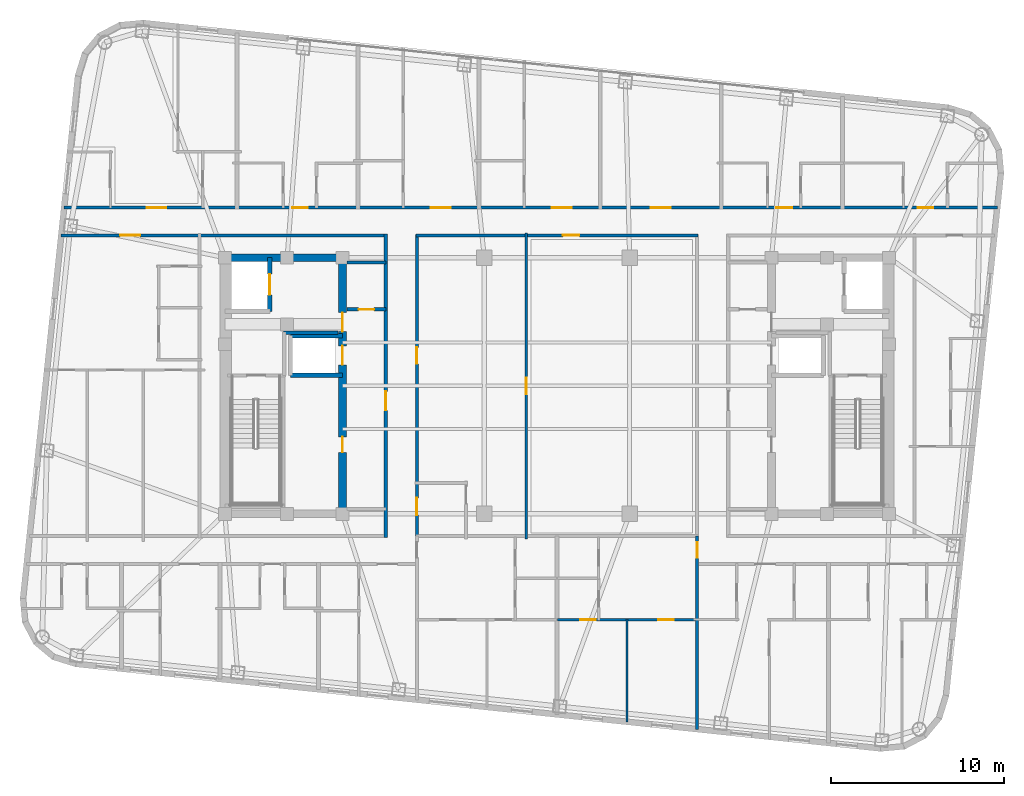
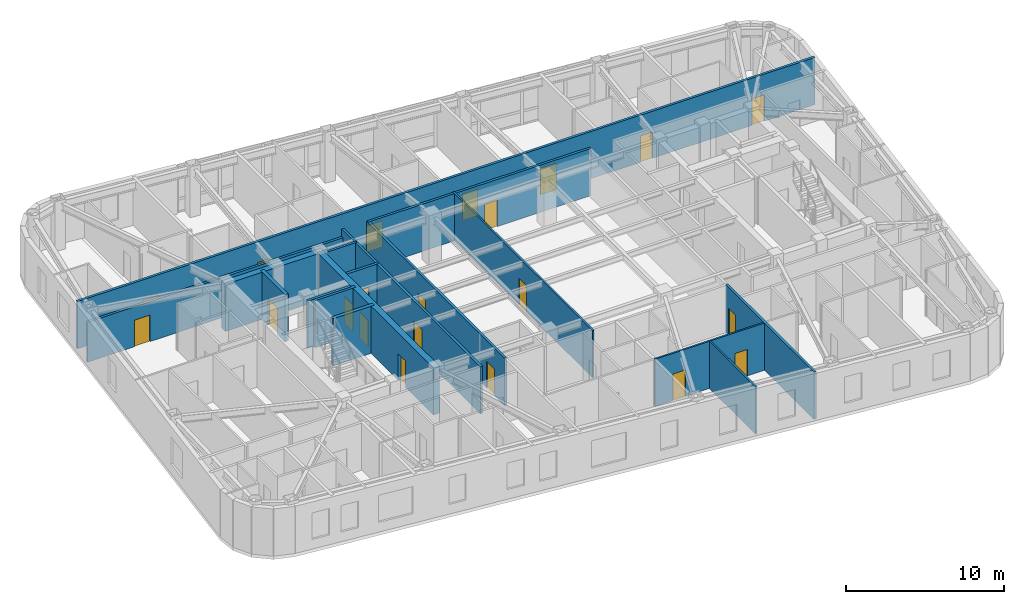
# One storey, part 10 of 16: 21 doors, 17 walls, 21 openings.
"""IFC4 building model written with IfcOpenShell, lengths in metres."""

from ifc_helpers import new_model, si_unit, direction, frame, frame_2d, origin, place, context, subcontext, project, spatial, rectangle, extrude, material, layer, layer_set, type_object, element, fill, save


model = new_model("IFC4")

# Units and contexts
model_context = context("Model", 3, precision=1e-05, world=origin(), true_north=direction((0.0, 1.0)))
body_context = subcontext(model_context, "Body", "Model", "MODEL_VIEW")
ifc_project = project(units=[si_unit("LENGTHUNIT", "METRE"), si_unit("AREAUNIT", "SQUARE_METRE"), si_unit("VOLUMEUNIT", "CUBIC_METRE"), si_unit("PLANEANGLEUNIT", "RADIAN"), si_unit("MASSUNIT", "GRAM", prefix="KILO")], contexts=[model_context])

# Site, building, storey
site_placement = place(None, origin())
site = spatial("IfcSite", under=ifc_project, at=site_placement, CompositionType="ELEMENT")
building_placement = place(site_placement, origin())
building = spatial("IfcBuilding", under=site, at=building_placement, Name="Voryun Gate Residences", CompositionType="ELEMENT")
storey_placement = place(building_placement, frame((0.0, 0.0, 267.800048828125)))
storey = spatial("IfcBuildingStorey", under=building, at=storey_placement, Name="L66", CompositionType="ELEMENT", Elevation=267.800048828125)

# Wall
ifc_material_1 = material(Name="Concrete C50/60", Category="concrete")
ifc_layer_1 = layer(ifc_material_1, 0.449951171875, Name="CW_CORE_450")
ifc_layer_set_1 = layer_set([ifc_layer_1], Name="Concrete C50/60")
wall_type_1 = type_object("IfcWallType", Name="CW_CORE_450", PredefinedType="SHEAR", material=ifc_layer_set_1)
wall_1_placement = place(storey_placement, frame((-19.425048828125, 7.39990234375, 0.0), z_axis=(0.0, 0.0, 1.0), x_axis=(1.0, 0.0, 0.0)))
element("IfcWall", 1, at=wall_1_placement, inside=storey, type_object=wall_type_1, Name="L66 Core shear wall CW-L66-WN", PredefinedType="SHEAR", context=body_context, shape_type="SweptSolid", body=[
    extrude(rectangle(XDim=7.25, YDim=0.449951171875, at=frame_2d((3.625, 0.0))), origin(), (0.0, 0.0, 1.0), 3.64990234375),
])

# Wall, openings, doors
wall_2_placement = place(storey_placement, frame((-12.39990234375, -7.39990234375, 0.0), z_axis=(0.0, 0.0, 1.0), x_axis=(0.0, 1.0, 0.0)))
wall_2 = element("IfcWall", 2, at=wall_2_placement, inside=storey, type_object=wall_type_1, Name="L66 Core shear wall CW-L66-WE", PredefinedType="SHEAR", context=body_context, shape_type="SweptSolid", body=[
    extrude(rectangle(XDim=14.7998046875, YDim=0.449951171875, at=frame_2d((7.39990234375, 0.0))), origin(), (0.0, 0.0, 1.0), 3.64990234375),
])
opening_1_placement = place(wall_2_placement, frame((8.60009765625, 0.0, 0.0)))
opening_1 = element("IfcOpeningElement", 3, at=opening_1_placement, cuts=wall_2, Name="Opening LD2", PredefinedType="OPENING", context=body_context, shape_type="SweptSolid", body=[
    extrude(rectangle(XDim=1.10009765625, YDim=2.050048828125, at=frame_2d((0.550048828125, 1.02490234375))), frame((0.0, 0.235107421875, 0.0), z_axis=(0.0, -1.0, 0.0), x_axis=(1.0, 0.0, 0.0)), (0.0, 0.0, 1.0), 0.469970703125),
])
opening_2_placement = place(wall_2_placement, frame((10.530029296875, 0.0, 0.0)))
opening_2 = element("IfcOpeningElement", 4, at=opening_2_placement, cuts=wall_2, Name="Opening D-FD60-2", PredefinedType="OPENING", context=body_context, shape_type="SweptSolid", body=[
    extrude(rectangle(XDim=1.10009765625, YDim=2.050048828125, at=frame_2d((0.550048828125, 1.02490234375))), frame((0.0, 0.235107421875, 0.0), z_axis=(0.0, -1.0, 0.0), x_axis=(1.0, 0.0, 0.0)), (0.0, 0.0, 1.0), 0.469970703125),
])
opening_3_placement = place(wall_2_placement, frame((3.550048828125, 0.0, 0.0)))
opening_3 = element("IfcOpeningElement", 5, at=opening_3_placement, cuts=wall_2, Name="Opening D-FD60-4", PredefinedType="OPENING", context=body_context, shape_type="SweptSolid", body=[
    extrude(rectangle(XDim=0.89990234375, YDim=2.050048828125, at=frame_2d((0.449951171875, 1.02490234375))), frame((0.0, 0.235107421875, 0.0), z_axis=(0.0, -1.0, 0.0), x_axis=(1.0, 0.0, 0.0)), (0.0, 0.0, 1.0), 0.469970703125),
])
ifc_material_2 = material(Name="Painted steel fire door", Category="steel")
door_type_1 = type_object("IfcDoorType", Name="DR_FD60_FFLOB_1100", OperationType="NOTDEFINED", PredefinedType="DOOR", material=ifc_material_2)
door_1_placement = place(opening_2_placement, origin())
door_1 = element("IfcDoor", 6, at=door_1_placement, inside=storey, type_object=door_type_1, Name="Door DR-L66-CLOB-W", OperationType="SINGLE_SWING_LEFT", OverallHeight=2.050048828125, OverallWidth=1.10009765625, PredefinedType="DOOR", context=body_context, shape_type="SweptSolid", body=[
    extrude(rectangle(XDim=1.10009765625, YDim=2.050048828125, at=frame_2d((0.550048828125, 1.02490234375))), frame((0.0, 0.02490234375, 0.0), z_axis=(0.0, -1.0, 0.0), x_axis=(1.0, 0.0, 0.0)), (0.0, 0.0, 1.0), 0.050048828125),
])
fill(opening_2, door_1)
ifc_material_3 = material(Name="Painted steel fire door", Category="steel")
door_type_2 = type_object("IfcDoorType", Name="DR_FD60_RISER_900", OperationType="NOTDEFINED", PredefinedType="DOOR", material=ifc_material_3)
door_2_placement = place(opening_3_placement, origin())
door_2 = element("IfcDoor", 7, at=door_2_placement, inside=storey, type_object=door_type_2, Name="Door DR-L66-RECW-HI", OperationType="SINGLE_SWING_LEFT", OverallHeight=2.050048828125, OverallWidth=0.89990234375, PredefinedType="DOOR", context=body_context, shape_type="SweptSolid", body=[
    extrude(rectangle(XDim=0.89990234375, YDim=2.050048828125, at=frame_2d((0.449951171875, 1.02490234375))), frame((0.0, 0.02490234375, 0.0), z_axis=(0.0, -1.0, 0.0), x_axis=(1.0, 0.0, 0.0)), (0.0, 0.0, 1.0), 0.050048828125),
])
fill(opening_3, door_2)
ifc_material_4 = material(Name="Anodised aluminium", Category="aluminium")
door_type_3 = type_object("IfcDoorType", Name="DR_LD_PASS_1100", OperationType="NOTDEFINED", PredefinedType="DOOR", material=ifc_material_4)
door_3_placement = place(opening_1_placement, origin())
door_3 = element("IfcDoor", 8, at=door_3_placement, inside=storey, type_object=door_type_3, Name="Lift EL-P7 sliding landing door L66", OperationType="SLIDING_TO_LEFT", OverallHeight=2.050048828125, OverallWidth=1.10009765625, PredefinedType="DOOR", context=body_context, shape_type="SweptSolid", body=[
    extrude(rectangle(XDim=1.10009765625, YDim=2.050048828125, at=frame_2d((0.550048828125, 1.02490234375))), frame((0.0, 0.02490234375, 0.0), z_axis=(0.0, -1.0, 0.0), x_axis=(1.0, 0.0, 0.0)), (0.0, 0.0, 1.0), 0.050048828125),
])
fill(opening_1, door_3)

# Wall
ifc_material_5 = material(Name="Gypsum acoustic fireboard")
ifc_layer_2 = layer(ifc_material_5, 0.179931640625, Name="W_CORR_RATED_180")
ifc_layer_set_2 = layer_set([ifc_layer_2], Name="Gypsum acoustic fireboard")
wall_type_2 = type_object("IfcWallType", Name="W_CORR_RATED_180", PredefinedType="PARTITIONING", material=ifc_layer_set_2)
wall_3_placement = place(storey_placement, frame((-12.14990234375, 7.1201171875, 0.0), z_axis=(0.0, 0.0, 1.0), x_axis=(1.0, 0.0, 0.0)))
element("IfcWall", 9, at=wall_3_placement, inside=storey, type_object=wall_type_2, Name="Partition wall WP-L66-PLBN-W", PredefinedType="PARTITIONING", context=body_context, shape_type="SweptSolid", body=[
    extrude(rectangle(XDim=2.27001953125, YDim=0.179931640625, at=frame_2d((1.135009765625, 0.0))), origin(), (0.0, 0.0, 1.0), 3.64990234375),
])

# Wall, opening, door
wall_4_placement = place(storey_placement, frame((-9.89990234375, -8.780029296875, 0.0), z_axis=(0.0, 0.0, 1.0), x_axis=(0.0, 1.0, 0.0)))
wall_4 = element("IfcWall", 10, at=wall_4_placement, inside=storey, type_object=wall_type_2, Name="Partition wall WP-L66-PLBW-FULL", PredefinedType="PARTITIONING", context=body_context, shape_type="SweptSolid", body=[
    extrude(rectangle(XDim=17.56005859375, YDim=0.179931640625, at=frame_2d((8.780029296875, 0.0))), origin(), (0.0, 0.0, 1.0), 3.64990234375),
])
opening_4_placement = place(wall_4_placement, frame((7.35205078125, 0.0, 0.0)))
opening_4 = element("IfcOpeningElement", 11, at=opening_4_placement, cuts=wall_4, Name="Opening D-FD60-2", PredefinedType="OPENING", context=body_context, shape_type="SweptSolid", body=[
    extrude(rectangle(XDim=1.10009765625, YDim=2.050048828125, at=frame_2d((0.550048828125, 1.02490234375))), frame((0.0, 0.099853515625, 0.0), z_axis=(0.0, -1.0, 0.0), x_axis=(1.0, 0.0, 0.0)), (0.0, 0.0, 1.0), 0.199951171875),
])
door_4_placement = place(opening_4_placement, origin())
door_4 = element("IfcDoor", 12, at=door_4_placement, inside=storey, type_object=door_type_1, Name="Door DR-L66-PLBW-COR", OperationType="SINGLE_SWING_LEFT", OverallHeight=2.050048828125, OverallWidth=1.10009765625, PredefinedType="DOOR", context=body_context, shape_type="SweptSolid", body=[
    extrude(rectangle(XDim=1.10009765625, YDim=2.050048828125, at=frame_2d((0.550048828125, 1.02490234375))), frame((0.0, 0.02490234375, 0.0), z_axis=(0.0, -1.0, 0.0), x_axis=(1.0, 0.0, 0.0)), (0.0, 0.0, 1.0), 0.050048828125),
])
fill(opening_4, door_4)

wall_5_placement = place(storey_placement, frame((-28.664306640625, 8.68994140625, 0.0), z_axis=(0.0, 0.0, 1.0), x_axis=(1.0, 0.0, 0.0)))
wall_5 = element("IfcWall", 13, at=wall_5_placement, inside=storey, type_object=wall_type_2, Name="Partition wall WP-L66-CWING-WN", PredefinedType="PARTITIONING", context=body_context, shape_type="SweptSolid", body=[
    extrude(rectangle(XDim=18.784423828125, YDim=0.179931640625, at=frame_2d((9.39208984375, 0.0))), origin(), (0.0, 0.0, 1.0), 3.08984375),
])
opening_5_placement = place(wall_5_placement, frame((3.416748046875, 0.0, 0.0)))
opening_5 = element("IfcOpeningElement", 14, at=opening_5_placement, cuts=wall_5, Name="Opening D-UNIT-1", PredefinedType="OPENING", context=body_context, shape_type="SweptSolid", body=[
    extrude(rectangle(XDim=1.14990234375, YDim=2.050048828125, at=frame_2d((0.574951171875, 1.02490234375))), frame((0.0, 0.099853515625, 0.0), z_axis=(0.0, -1.0, 0.0), x_axis=(1.0, 0.0, 0.0)), (0.0, 0.0, 1.0), 0.199951171875),
])
ifc_material_6 = material(Name="Armoured timber-clad fire door", Category="wood")
door_type_4 = type_object("IfcDoorType", Name="DR_UNIT_ENTRY_1150", OperationType="NOTDEFINED", PredefinedType="DOOR", material=ifc_material_6)
door_5_placement = place(opening_5_placement, origin())
door_5 = element("IfcDoor", 15, at=door_5_placement, inside=storey, type_object=door_type_4, Name="Door DR-L66-WE1N", OperationType="SINGLE_SWING_LEFT", OverallHeight=2.050048828125, OverallWidth=1.14990234375, PredefinedType="DOOR", context=body_context, shape_type="SweptSolid", body=[
    extrude(rectangle(XDim=1.14990234375, YDim=2.050048828125, at=frame_2d((0.574951171875, 1.02490234375))), frame((0.0, 0.02490234375, 0.0), z_axis=(0.0, -1.0, 0.0), x_axis=(1.0, 0.0, 0.0)), (0.0, 0.0, 1.0), 0.050048828125),
])
fill(opening_5, door_5)

wall_6_placement = place(storey_placement, frame((-8.14990234375, 8.68994140625, 0.0), z_axis=(0.0, 0.0, 1.0), x_axis=(1.0, 0.0, 0.0)))
wall_6 = element("IfcWall", 16, at=wall_6_placement, inside=storey, type_object=wall_type_2, Name="Partition wall WP-L66-Z3N", PredefinedType="PARTITIONING", context=body_context, shape_type="SweptSolid", body=[
    extrude(rectangle(XDim=16.2998046875, YDim=0.179931640625, at=frame_2d((8.14990234375, 0.0))), origin(), (0.0, 0.0, 1.0), 3.64990234375),
])
opening_6_placement = place(wall_6_placement, frame((8.489990234375, 0.0, 0.0)))
opening_6 = element("IfcOpeningElement", 17, at=opening_6_placement, cuts=wall_6, Name="Opening D-INT-1", PredefinedType="OPENING", context=body_context, shape_type="SweptSolid", body=[
    extrude(rectangle(XDim=0.949951171875, YDim=2.050048828125, at=frame_2d((0.47509765625, 1.02490234375))), frame((0.0, 0.099853515625, 0.0), z_axis=(0.0, -1.0, 0.0), x_axis=(1.0, 0.0, 0.0)), (0.0, 0.0, 1.0), 0.199951171875),
])
ifc_material_7 = material(Name="Architectural oak veneer")
door_type_5 = type_object("IfcDoorType", Name="DR_INT_ROOM_950", OperationType="NOTDEFINED", PredefinedType="DOOR", material=ifc_material_7)
door_6_placement = place(opening_6_placement, origin())
door_6 = element("IfcDoor", 18, at=door_6_placement, inside=storey, type_object=door_type_5, Name="Door DR-L66-CMIDZ3N", OperationType="SINGLE_SWING_LEFT", OverallHeight=2.050048828125, OverallWidth=0.949951171875, PredefinedType="DOOR", context=body_context, shape_type="SweptSolid", body=[
    extrude(rectangle(XDim=0.949951171875, YDim=2.050048828125, at=frame_2d((0.47509765625, 1.02490234375))), frame((0.0, 0.02490234375, 0.0), z_axis=(0.0, -1.0, 0.0), x_axis=(1.0, 0.0, 0.0)), (0.0, 0.0, 1.0), 0.050048828125),
])
fill(opening_6, door_6)

# Wall, openings, doors
wall_7_placement = place(storey_placement, frame((-8.10009765625, -8.72998046875, 0.0), z_axis=(0.0, 0.0, 1.0), x_axis=(0.0, 1.0, 0.0)))
wall_7 = element("IfcWall", 19, at=wall_7_placement, inside=storey, type_object=wall_type_2, Name="Partition wall WP-L66-Z3W", PredefinedType="PARTITIONING", context=body_context, shape_type="SweptSolid", body=[
    extrude(rectangle(XDim=17.4599609375, YDim=0.179931640625, at=frame_2d((8.72998046875, 0.0))), origin(), (0.0, 0.0, 1.0), 3.64990234375),
])
opening_7_placement = place(wall_7_placement, frame((1.24609375, 0.0, 0.0)))
opening_7 = element("IfcOpeningElement", 20, at=opening_7_placement, cuts=wall_7, Name="Opening D-AWC-1", PredefinedType="OPENING", context=body_context, shape_type="SweptSolid", body=[
    extrude(rectangle(XDim=1.0, YDim=2.050048828125, at=frame_2d((0.5, 1.02490234375))), frame((0.0, 0.099853515625, 0.0), z_axis=(0.0, -1.0, 0.0), x_axis=(1.0, 0.0, 0.0)), (0.0, 0.0, 1.0), 0.199951171875),
])
opening_8_placement = place(wall_7_placement, frame((10.0009765625, 0.0, 0.0)))
opening_8 = element("IfcOpeningElement", 21, at=opening_8_placement, cuts=wall_7, Name="Opening D-INT-1", PredefinedType="OPENING", context=body_context, shape_type="SweptSolid", body=[
    extrude(rectangle(XDim=0.949951171875, YDim=2.050048828125, at=frame_2d((0.47509765625, 1.02490234375))), frame((0.0, 0.099853515625, 0.0), z_axis=(0.0, -1.0, 0.0), x_axis=(1.0, 0.0, 0.0)), (0.0, 0.0, 1.0), 0.199951171875),
])
ifc_material_8 = material(Name="Architectural oak veneer")
door_type_6 = type_object("IfcDoorType", Name="DR_ACC_WC_1000", OperationType="NOTDEFINED", PredefinedType="DOOR", material=ifc_material_8)
door_7_placement = place(opening_7_placement, origin())
door_7 = element("IfcDoor", 22, at=door_7_placement, inside=storey, type_object=door_type_6, Name="Door DR-L66-CMWC-D", OperationType="SINGLE_SWING_LEFT", OverallHeight=2.050048828125, OverallWidth=1.0, PredefinedType="DOOR", context=body_context, shape_type="SweptSolid", body=[
    extrude(rectangle(XDim=1.0, YDim=2.050048828125, at=frame_2d((0.5, 1.02490234375))), frame((0.0, 0.02490234375, 0.0), z_axis=(0.0, -1.0, 0.0), x_axis=(1.0, 0.0, 0.0)), (0.0, 0.0, 1.0), 0.050048828125),
])
fill(opening_7, door_7)
door_8_placement = place(opening_8_placement, origin())
door_8 = element("IfcDoor", 23, at=door_8_placement, inside=storey, type_object=door_type_5, Name="Door DR-L66-CMIDZ3W", OperationType="SINGLE_SWING_RIGHT", OverallHeight=2.050048828125, OverallWidth=0.949951171875, PredefinedType="DOOR", context=body_context, shape_type="SweptSolid", body=[
    extrude(rectangle(XDim=0.949951171875, YDim=2.050048828125, at=frame_2d((0.47509765625, 1.02490234375))), frame((0.0, 0.02490234375, 0.0), z_axis=(0.0, -1.0, 0.0), x_axis=(1.0, 0.0, 0.0)), (0.0, 0.0, 1.0), 0.050048828125),
])
fill(opening_8, door_8)

wall_8_placement = place(storey_placement, frame((-28.4951171875, 10.300048828125, 0.0), z_axis=(0.0, 0.0, 1.0), x_axis=(1.0, 0.0, 0.0)))
wall_8 = element("IfcWall", 24, at=wall_8_placement, inside=storey, type_object=wall_type_2, Name="Partition wall WP-L66-NCORR", PredefinedType="PARTITIONING", context=body_context, shape_type="SweptSolid", body=[
    extrude(rectangle(XDim=53.95556640625, YDim=0.179931640625, at=frame_2d((26.977783203125, 0.0))), origin(), (0.0, 0.0, 1.0), 3.64990234375),
])
opening_9_placement = place(wall_8_placement, frame((4.77197265625, 0.0, 0.0)))
opening_9 = element("IfcOpeningElement", 25, at=opening_9_placement, cuts=wall_8, Name="Opening D-UNIT-1", PredefinedType="OPENING", context=body_context, shape_type="SweptSolid", body=[
    extrude(rectangle(XDim=1.14990234375, YDim=2.050048828125, at=frame_2d((0.574951171875, 1.02490234375))), frame((0.0, 0.099853515625, 0.0), z_axis=(0.0, -1.0, 0.0), x_axis=(1.0, 0.0, 0.0)), (0.0, 0.0, 1.0), 0.199951171875),
])
opening_10_placement = place(wall_8_placement, frame((13.1845703125, 0.0, 0.0)))
opening_10 = element("IfcOpeningElement", 26, at=opening_10_placement, cuts=wall_8, Name="Opening D-INT-2", PredefinedType="OPENING", context=body_context, shape_type="SweptSolid", body=[
    extrude(rectangle(XDim=0.89990234375, YDim=2.050048828125, at=frame_2d((0.449951171875, 1.02490234375))), frame((0.0, 0.099853515625, 0.0), z_axis=(0.0, -1.0, 0.0), x_axis=(1.0, 0.0, 0.0)), (0.0, 0.0, 1.0), 0.199951171875),
])
opening_11_placement = place(wall_8_placement, frame((21.196044921875, 0.0, 0.0)))
opening_11 = element("IfcOpeningElement", 27, at=opening_11_placement, cuts=wall_8, Name="Opening D-UNIT-1", PredefinedType="OPENING", context=body_context, shape_type="SweptSolid", body=[
    extrude(rectangle(XDim=1.14990234375, YDim=2.050048828125, at=frame_2d((0.574951171875, 1.02490234375))), frame((0.0, 0.099853515625, 0.0), z_axis=(0.0, -1.0, 0.0), x_axis=(1.0, 0.0, 0.0)), (0.0, 0.0, 1.0), 0.199951171875),
])
opening_12_placement = place(wall_8_placement, frame((28.194091796875, 0.0, 0.0)))
opening_12 = element("IfcOpeningElement", 28, at=opening_12_placement, cuts=wall_8, Name="Opening D-UNIT-1", PredefinedType="OPENING", context=body_context, shape_type="SweptSolid", body=[
    extrude(rectangle(XDim=1.14990234375, YDim=2.050048828125, at=frame_2d((0.574951171875, 1.02490234375))), frame((0.0, 0.099853515625, 0.0), z_axis=(0.0, -1.0, 0.0), x_axis=(1.0, 0.0, 0.0)), (0.0, 0.0, 1.0), 0.199951171875),
])
opening_13_placement = place(wall_8_placement, frame((33.918701171875, 0.0, 0.0)))
opening_13 = element("IfcOpeningElement", 29, at=opening_13_placement, cuts=wall_8, Name="Opening D-UNIT-1", PredefinedType="OPENING", context=body_context, shape_type="SweptSolid", body=[
    extrude(rectangle(XDim=1.14990234375, YDim=2.050048828125, at=frame_2d((0.574951171875, 1.02490234375))), frame((0.0, 0.099853515625, 0.0), z_axis=(0.0, -1.0, 0.0), x_axis=(1.0, 0.0, 0.0)), (0.0, 0.0, 1.0), 0.199951171875),
])
opening_14_placement = place(wall_8_placement, frame((41.18212890625, 0.0, 0.0)))
opening_14 = element("IfcOpeningElement", 30, at=opening_14_placement, cuts=wall_8, Name="Opening D-INT-2", PredefinedType="OPENING", context=body_context, shape_type="SweptSolid", body=[
    extrude(rectangle(XDim=0.89990234375, YDim=2.050048828125, at=frame_2d((0.449951171875, 1.02490234375))), frame((0.0, 0.099853515625, 0.0), z_axis=(0.0, -1.0, 0.0), x_axis=(1.0, 0.0, 0.0)), (0.0, 0.0, 1.0), 0.199951171875),
])
opening_15_placement = place(wall_8_placement, frame((49.345703125, 0.0, 0.0)))
opening_15 = element("IfcOpeningElement", 31, at=opening_15_placement, cuts=wall_8, Name="Opening D-INT-2", PredefinedType="OPENING", context=body_context, shape_type="SweptSolid", body=[
    extrude(rectangle(XDim=0.89990234375, YDim=2.050048828125, at=frame_2d((0.449951171875, 1.02490234375))), frame((0.0, 0.099853515625, 0.0), z_axis=(0.0, -1.0, 0.0), x_axis=(1.0, 0.0, 0.0)), (0.0, 0.0, 1.0), 0.199951171875),
])
ifc_material_9 = material(Name="Architectural oak veneer")
door_type_7 = type_object("IfcDoorType", Name="DR_INT_BATH_900", OperationType="NOTDEFINED", PredefinedType="DOOR", material=ifc_material_9)
door_9_placement = place(opening_10_placement, origin())
door_9 = element("IfcDoor", 32, at=door_9_placement, inside=storey, type_object=door_type_7, Name="Door DR-L66-NENT-2", OperationType="SINGLE_SWING_RIGHT", OverallHeight=2.050048828125, OverallWidth=0.89990234375, PredefinedType="DOOR", context=body_context, shape_type="SweptSolid", body=[
    extrude(rectangle(XDim=0.89990234375, YDim=2.050048828125, at=frame_2d((0.449951171875, 1.02490234375))), frame((0.0, 0.02490234375, 0.0), z_axis=(0.0, -1.0, 0.0), x_axis=(1.0, 0.0, 0.0)), (0.0, 0.0, 1.0), 0.050048828125),
])
fill(opening_10, door_9)
door_10_placement = place(opening_14_placement, origin())
door_10 = element("IfcDoor", 33, at=door_10_placement, inside=storey, type_object=door_type_7, Name="Door DR-L66-NENT-6", OperationType="SINGLE_SWING_RIGHT", OverallHeight=2.050048828125, OverallWidth=0.89990234375, PredefinedType="DOOR", context=body_context, shape_type="SweptSolid", body=[
    extrude(rectangle(XDim=0.89990234375, YDim=2.050048828125, at=frame_2d((0.449951171875, 1.02490234375))), frame((0.0, 0.02490234375, 0.0), z_axis=(0.0, -1.0, 0.0), x_axis=(1.0, 0.0, 0.0)), (0.0, 0.0, 1.0), 0.050048828125),
])
fill(opening_14, door_10)
door_11_placement = place(opening_15_placement, origin())
door_11 = element("IfcDoor", 34, at=door_11_placement, inside=storey, type_object=door_type_7, Name="Door DR-L66-NENT-7", OperationType="SINGLE_SWING_LEFT", OverallHeight=2.050048828125, OverallWidth=0.89990234375, PredefinedType="DOOR", context=body_context, shape_type="SweptSolid", body=[
    extrude(rectangle(XDim=0.89990234375, YDim=2.050048828125, at=frame_2d((0.449951171875, 1.02490234375))), frame((0.0, 0.02490234375, 0.0), z_axis=(0.0, -1.0, 0.0), x_axis=(1.0, 0.0, 0.0)), (0.0, 0.0, 1.0), 0.050048828125),
])
fill(opening_15, door_11)
door_12_placement = place(opening_9_placement, origin())
door_12 = element("IfcDoor", 35, at=door_12_placement, inside=storey, type_object=door_type_4, Name="Door DR-L66-NENT-1", OperationType="SINGLE_SWING_LEFT", OverallHeight=2.050048828125, OverallWidth=1.14990234375, PredefinedType="DOOR", context=body_context, shape_type="SweptSolid", body=[
    extrude(rectangle(XDim=1.14990234375, YDim=2.050048828125, at=frame_2d((0.574951171875, 1.02490234375))), frame((0.0, 0.02490234375, 0.0), z_axis=(0.0, -1.0, 0.0), x_axis=(1.0, 0.0, 0.0)), (0.0, 0.0, 1.0), 0.050048828125),
])
fill(opening_9, door_12)
door_13_placement = place(opening_11_placement, origin())
door_13 = element("IfcDoor", 36, at=door_13_placement, inside=storey, type_object=door_type_4, Name="Door DR-L66-NENT-3", OperationType="SINGLE_SWING_LEFT", OverallHeight=2.050048828125, OverallWidth=1.14990234375, PredefinedType="DOOR", context=body_context, shape_type="SweptSolid", body=[
    extrude(rectangle(XDim=1.14990234375, YDim=2.050048828125, at=frame_2d((0.574951171875, 1.02490234375))), frame((0.0, 0.02490234375, 0.0), z_axis=(0.0, -1.0, 0.0), x_axis=(1.0, 0.0, 0.0)), (0.0, 0.0, 1.0), 0.050048828125),
])
fill(opening_11, door_13)
door_14_placement = place(opening_12_placement, origin())
door_14 = element("IfcDoor", 37, at=door_14_placement, inside=storey, type_object=door_type_4, Name="Door DR-L66-NENT-4", OperationType="SINGLE_SWING_RIGHT", OverallHeight=2.050048828125, OverallWidth=1.14990234375, PredefinedType="DOOR", context=body_context, shape_type="SweptSolid", body=[
    extrude(rectangle(XDim=1.14990234375, YDim=2.050048828125, at=frame_2d((0.574951171875, 1.02490234375))), frame((0.0, 0.02490234375, 0.0), z_axis=(0.0, -1.0, 0.0), x_axis=(1.0, 0.0, 0.0)), (0.0, 0.0, 1.0), 0.050048828125),
])
fill(opening_12, door_14)
door_15_placement = place(opening_13_placement, origin())
door_15 = element("IfcDoor", 38, at=door_15_placement, inside=storey, type_object=door_type_4, Name="Door DR-L66-NENT-5", OperationType="SINGLE_SWING_LEFT", OverallHeight=2.050048828125, OverallWidth=1.14990234375, PredefinedType="DOOR", context=body_context, shape_type="SweptSolid", body=[
    extrude(rectangle(XDim=1.14990234375, YDim=2.050048828125, at=frame_2d((0.574951171875, 1.02490234375))), frame((0.0, 0.02490234375, 0.0), z_axis=(0.0, -1.0, 0.0), x_axis=(1.0, 0.0, 0.0)), (0.0, 0.0, 1.0), 0.050048828125),
])
fill(opening_13, door_15)

# Wall, opening, door
wall_9_placement = place(storey_placement, frame((8.10009765625, -19.857177734375, 0.0), z_axis=(0.0, 0.0, 1.0), x_axis=(0.0, 1.0, 0.0)))
wall_9 = element("IfcWall", 39, at=wall_9_placement, inside=storey, type_object=wall_type_2, Name="Partition wall WP-L66-SZV-2", PredefinedType="PARTITIONING", context=body_context, shape_type="SweptSolid", body=[
    extrude(rectangle(XDim=11.167236328125, YDim=0.179931640625, at=frame_2d((5.58349609375, 0.0))), origin(), (0.0, 0.0, 1.0), 3.64990234375),
])
opening_16_placement = place(wall_9_placement, frame((9.91748046875, 0.0, 0.0)))
opening_16 = element("IfcOpeningElement", 40, at=opening_16_placement, cuts=wall_9, Name="Opening D-INT-2", PredefinedType="OPENING", context=body_context, shape_type="SweptSolid", body=[
    extrude(rectangle(XDim=0.89990234375, YDim=2.050048828125, at=frame_2d((0.449951171875, 1.02490234375))), frame((0.0, 0.099853515625, 0.0), z_axis=(0.0, -1.0, 0.0), x_axis=(1.0, 0.0, 0.0)), (0.0, 0.0, 1.0), 0.199951171875),
])
door_16_placement = place(opening_16_placement, origin())
door_16 = element("IfcDoor", 41, at=door_16_placement, inside=storey, type_object=door_type_7, Name="Door DR-L66-SZENT-2", OperationType="SINGLE_SWING_RIGHT", OverallHeight=2.050048828125, OverallWidth=0.89990234375, PredefinedType="DOOR", context=body_context, shape_type="SweptSolid", body=[
    extrude(rectangle(XDim=0.89990234375, YDim=2.050048828125, at=frame_2d((0.449951171875, 1.02490234375))), frame((0.0, 0.02490234375, 0.0), z_axis=(0.0, -1.0, 0.0), x_axis=(1.0, 0.0, 0.0)), (0.0, 0.0, 1.0), 0.050048828125),
])
fill(opening_16, door_16)

# Wall
ifc_material_10 = material(Name="Concrete C40/50", Category="concrete")
ifc_layer_3 = layer(ifc_material_10, 0.199951171875, Name="W_FF_LOBBY_200")
ifc_layer_set_3 = layer_set([ifc_layer_3], Name="Concrete C40/50")
wall_type_3 = type_object("IfcWallType", Name="W_FF_LOBBY_200", PredefinedType="PARTITIONING", material=ifc_layer_set_3)
wall_10_placement = place(storey_placement, frame((-15.820068359375, 3.06005859375, 0.0), z_axis=(0.0, 0.0, 1.0), x_axis=(1.0, 0.0, 0.0)))
element("IfcWall", 42, at=wall_10_placement, inside=storey, type_object=wall_type_3, Name="Partition wall WP-L66-FFPS-W", PredefinedType="PARTITIONING", context=body_context, shape_type="SweptSolid", body=[
    extrude(rectangle(XDim=3.16015625, YDim=0.199951171875, at=frame_2d((1.580078125, 0.0))), origin(), (0.0, 0.0, 1.0), 3.64990234375),
])

# Wall, opening, door
wall_11_placement = place(storey_placement, frame((-12.14990234375, 4.409912109375, 0.0), z_axis=(0.0, 0.0, 1.0), x_axis=(1.0, 0.0, 0.0)))
wall_11 = element("IfcWall", 43, at=wall_11_placement, inside=storey, type_object=wall_type_3, Name="Partition wall WP-L66-CSFLKS-W", PredefinedType="PARTITIONING", context=body_context, shape_type="SweptSolid", body=[
    extrude(rectangle(XDim=2.27001953125, YDim=0.199951171875, at=frame_2d((1.135009765625, 0.0))), origin(), (0.0, 0.0, 1.0), 3.64990234375),
])
opening_17_placement = place(wall_11_placement, frame((0.68505859375, 0.0, 0.0)))
opening_17 = element("IfcOpeningElement", 44, at=opening_17_placement, cuts=wall_11, Name="Opening D-FD60-4", PredefinedType="OPENING", context=body_context, shape_type="SweptSolid", body=[
    extrude(rectangle(XDim=0.89990234375, YDim=2.050048828125, at=frame_2d((0.449951171875, 1.02490234375))), frame((0.0, 0.110107421875, 0.0), z_axis=(0.0, -1.0, 0.0), x_axis=(1.0, 0.0, 0.0)), (0.0, 0.0, 1.0), 0.219970703125),
])
door_17_placement = place(opening_17_placement, origin())
door_17 = element("IfcDoor", 45, at=door_17_placement, inside=storey, type_object=door_type_2, Name="Door DR-L66-CSFLK-W", OperationType="SINGLE_SWING_LEFT", OverallHeight=2.050048828125, OverallWidth=0.89990234375, PredefinedType="DOOR", context=body_context, shape_type="SweptSolid", body=[
    extrude(rectangle(XDim=0.89990234375, YDim=2.050048828125, at=frame_2d((0.449951171875, 1.02490234375))), frame((0.0, 0.02490234375, 0.0), z_axis=(0.0, -1.0, 0.0), x_axis=(1.0, 0.0, 0.0)), (0.0, 0.0, 1.0), 0.050048828125),
])
fill(opening_17, door_17)

ifc_material_11 = material(Name="Concrete C50/60", Category="concrete")
ifc_layer_4 = layer(ifc_material_11, 0.25, Name="W_SHAFT_RC250")
ifc_layer_set_4 = layer_set([ifc_layer_4], Name="Concrete C50/60")
wall_type_4 = type_object("IfcWallType", Name="W_SHAFT_RC250", PredefinedType="SOLIDWALL", material=ifc_layer_set_4)
wall_12_placement = place(storey_placement, frame((-16.60009765625, 4.300048828125, 0.0), z_axis=(0.0, 0.0, 1.0), x_axis=(0.0, 1.0, 0.0)))
wall_12 = element("IfcWall", 46, at=wall_12_placement, inside=storey, type_object=wall_type_4, Name="Lift shaft wall WSH-L66-EL-FF-W1-E", PredefinedType="SOLIDWALL", context=body_context, shape_type="SweptSolid", body=[
    extrude(rectangle(XDim=3.099853515625, YDim=0.25, at=frame_2d((1.5498046875, 0.0))), origin(), (0.0, 0.0, 1.0), 3.64990234375),
])
opening_18_placement = place(wall_12_placement, frame((0.949951171875, 0.0, 0.0)))
opening_18 = element("IfcOpeningElement", 47, at=opening_18_placement, cuts=wall_12, Name="Opening LD1", PredefinedType="OPENING", context=body_context, shape_type="SweptSolid", body=[
    extrude(rectangle(XDim=1.199951171875, YDim=2.050048828125, at=frame_2d((0.60009765625, 1.02490234375))), frame((0.0, 0.135009765625, 0.0), z_axis=(0.0, -1.0, 0.0), x_axis=(1.0, 0.0, 0.0)), (0.0, 0.0, 1.0), 0.27001953125),
])
ifc_material_12 = material(Name="Anodised aluminium", Category="aluminium")
door_type_8 = type_object("IfcDoorType", Name="DR_LD_FF_1200", OperationType="NOTDEFINED", PredefinedType="DOOR", material=ifc_material_12)
door_18_placement = place(opening_18_placement, origin())
door_18 = element("IfcDoor", 48, at=door_18_placement, inside=storey, type_object=door_type_8, Name="Lift EL-FF-W1 sliding landing door L66", OperationType="SLIDING_TO_LEFT", OverallHeight=2.050048828125, OverallWidth=1.199951171875, PredefinedType="DOOR", context=body_context, shape_type="SweptSolid", body=[
    extrude(rectangle(XDim=1.199951171875, YDim=2.050048828125, at=frame_2d((0.60009765625, 1.02490234375))), frame((0.0, 0.02490234375, 0.0), z_axis=(0.0, -1.0, 0.0), x_axis=(1.0, 0.0, 0.0)), (0.0, 0.0, 1.0), 0.050048828125),
])
fill(opening_18, door_18)

# Walls
for number, where, z_axis, x_axis, name in (
    (49, (-15.39990234375, 0.60009765625, 0.0), (0.0, 0.0, 1.0), (1.0, 0.0, 0.0), "Lift shaft wall WSH-L66-EL-P7-S"),
    (50, (-12.39990234375, 2.89990234375, 0.0), (0.0, 0.0, 1.0), (-1.0, 0.0, 0.0), "Lift shaft wall WSH-L66-EL-P7-N"),
):
    element("IfcWall", number, at=place(storey_placement, frame(where, z_axis=z_axis, x_axis=x_axis)), inside=storey, type_object=wall_type_4, Name=name, PredefinedType="SOLIDWALL", context=body_context, shape_type="SweptSolid", body=[
        extrude(rectangle(XDim=3.0, YDim=0.25, at=frame_2d((1.5, 0.0))), origin(), (0.0, 0.0, 1.0), 3.64990234375),
    ])

# Wall, opening, door
ifc_material_13 = material(Name="Gypsum acoustic partition")
ifc_layer_5 = layer(ifc_material_13, 0.125, Name="W_UNIT_PART_125")
ifc_layer_set_5 = layer_set([ifc_layer_5], Name="Gypsum acoustic partition")
wall_type_5 = type_object("IfcWallType", Name="W_UNIT_PART_125", PredefinedType="PARTITIONING", material=ifc_layer_set_5)
wall_13_placement = place(storey_placement, frame((-1.77294921875, -8.8701171875, 0.0), z_axis=(0.0, 0.0, 1.0), x_axis=(0.0, 1.0, 0.0)))
wall_13 = element("IfcWall", 51, at=wall_13_placement, inside=storey, type_object=wall_type_5, Name="Partition wall WP-L66-MIDX-0", PredefinedType="PARTITIONING", context=body_context, shape_type="SweptSolid", body=[
    extrude(rectangle(XDim=17.690185546875, YDim=0.125, at=frame_2d((8.84521484375, 0.0))), origin(), (0.0, 0.0, 1.0), 3.64990234375),
])
opening_19_placement = place(wall_13_placement, frame((8.3701171875, 0.0, 0.0)))
opening_19 = element("IfcOpeningElement", 52, at=opening_19_placement, cuts=wall_13, Name="Opening D-INT-1", PredefinedType="OPENING", context=body_context, shape_type="SweptSolid", body=[
    extrude(rectangle(XDim=0.949951171875, YDim=2.050048828125, at=frame_2d((0.47509765625, 1.02490234375))), frame((0.0, 0.072509765625, 0.0), z_axis=(0.0, -1.0, 0.0), x_axis=(1.0, 0.0, 0.0)), (0.0, 0.0, 1.0), 0.14501953125),
])
door_19_placement = place(opening_19_placement, origin())
door_19 = element("IfcDoor", 53, at=door_19_placement, inside=storey, type_object=door_type_5, Name="Door DR-L66-MIDX-0", OperationType="SINGLE_SWING_LEFT", OverallHeight=2.050048828125, OverallWidth=0.949951171875, PredefinedType="DOOR", context=body_context, shape_type="SweptSolid", body=[
    extrude(rectangle(XDim=0.949951171875, YDim=2.050048828125, at=frame_2d((0.47509765625, 1.02490234375))), frame((0.0, 0.02490234375, 0.0), z_axis=(0.0, -1.0, 0.0), x_axis=(1.0, 0.0, 0.0)), (0.0, 0.0, 1.0), 0.050048828125),
])
fill(opening_19, door_19)

# Wall, openings, doors
wall_14_placement = place(storey_placement, frame((0.02001953125, -13.530029296875, 0.0), z_axis=(0.0, 0.0, 1.0), x_axis=(1.0, 0.0, 0.0)))
wall_14 = element("IfcWall", 54, at=wall_14_placement, inside=storey, type_object=wall_type_5, Name="Partition wall WP-L66-SC2-HZ", PredefinedType="PARTITIONING", context=body_context, shape_type="SweptSolid", body=[
    extrude(rectangle(XDim=7.992431640625, YDim=0.125, at=frame_2d((3.99609375, 0.0))), origin(), (0.0, 0.0, 1.0), 3.64990234375),
])
opening_20_placement = place(wall_14_placement, frame((1.3232421875, 0.0, 0.0)))
opening_20 = element("IfcOpeningElement", 55, at=opening_20_placement, cuts=wall_14, Name="Opening D-INT-2", PredefinedType="OPENING", context=body_context, shape_type="SweptSolid", body=[
    extrude(rectangle(XDim=0.89990234375, YDim=2.050048828125, at=frame_2d((0.449951171875, 1.02490234375))), frame((0.0, 0.072509765625, 0.0), z_axis=(0.0, -1.0, 0.0), x_axis=(1.0, 0.0, 0.0)), (0.0, 0.0, 1.0), 0.14501953125),
])
opening_21_placement = place(wall_14_placement, frame((5.8369140625, 0.0, 0.0)))
opening_21 = element("IfcOpeningElement", 56, at=opening_21_placement, cuts=wall_14, Name="Opening D-INT-2", PredefinedType="OPENING", context=body_context, shape_type="SweptSolid", body=[
    extrude(rectangle(XDim=0.89990234375, YDim=2.050048828125, at=frame_2d((0.449951171875, 1.02490234375))), frame((0.0, 0.072509765625, 0.0), z_axis=(0.0, -1.0, 0.0), x_axis=(1.0, 0.0, 0.0)), (0.0, 0.0, 1.0), 0.14501953125),
])
door_20_placement = place(opening_20_placement, origin())
door_20 = element("IfcDoor", 57, at=door_20_placement, inside=storey, type_object=door_type_7, Name="Door DR-L66-SC2-DMB", OperationType="SINGLE_SWING_LEFT", OverallHeight=2.050048828125, OverallWidth=0.89990234375, PredefinedType="DOOR", context=body_context, shape_type="SweptSolid", body=[
    extrude(rectangle(XDim=0.89990234375, YDim=2.050048828125, at=frame_2d((0.449951171875, 1.02490234375))), frame((0.0, 0.02490234375, 0.0), z_axis=(0.0, -1.0, 0.0), x_axis=(1.0, 0.0, 0.0)), (0.0, 0.0, 1.0), 0.050048828125),
])
fill(opening_20, door_20)
door_21_placement = place(opening_21_placement, origin())
door_21 = element("IfcDoor", 58, at=door_21_placement, inside=storey, type_object=door_type_7, Name="Door DR-L66-SC2-DBD2", OperationType="SINGLE_SWING_RIGHT", OverallHeight=2.050048828125, OverallWidth=0.89990234375, PredefinedType="DOOR", context=body_context, shape_type="SweptSolid", body=[
    extrude(rectangle(XDim=0.89990234375, YDim=2.050048828125, at=frame_2d((0.449951171875, 1.02490234375))), frame((0.0, 0.02490234375, 0.0), z_axis=(0.0, -1.0, 0.0), x_axis=(1.0, 0.0, 0.0)), (0.0, 0.0, 1.0), 0.050048828125),
])
fill(opening_21, door_21)

# Wall
wall_15_placement = place(storey_placement, frame((4.050048828125, -19.431640625, 0.0), z_axis=(0.0, 0.0, 1.0), x_axis=(0.0, 1.0, 0.0)))
element("IfcWall", 59, at=wall_15_placement, inside=storey, type_object=wall_type_5, Name="Partition wall WP-L66-SC2-VBD", PredefinedType="PARTITIONING", context=body_context, shape_type="SweptSolid", body=[
    extrude(rectangle(XDim=5.941650390625, YDim=0.125, at=frame_2d((2.970703125, 0.0))), origin(), (0.0, 0.0, 1.0), 3.64990234375),
])

save(model, "model.ifc")
